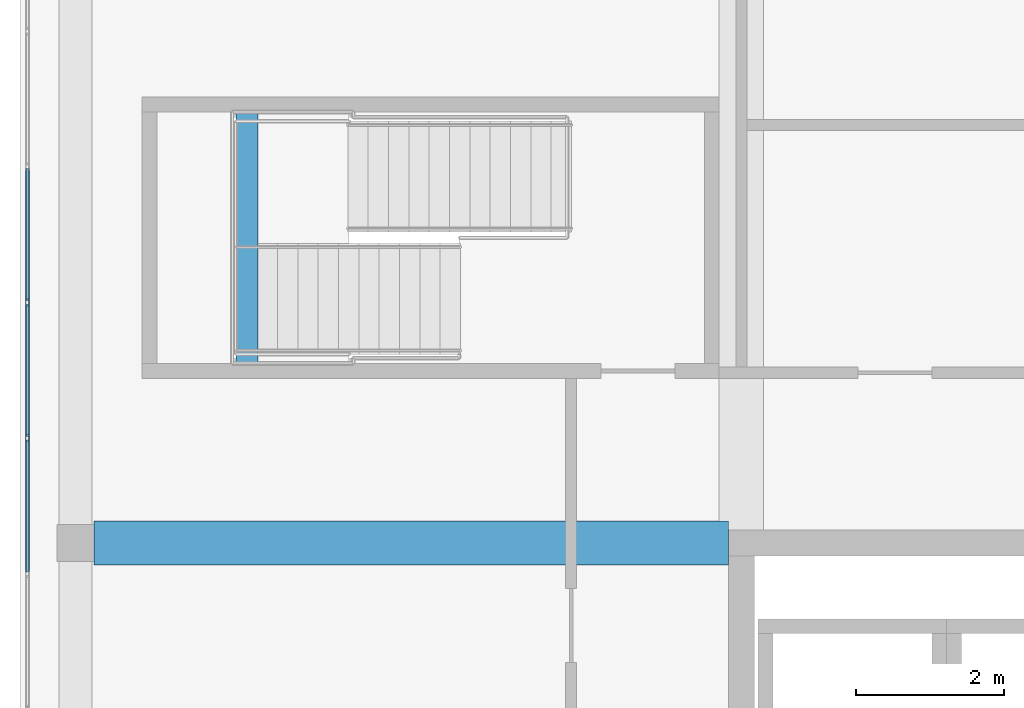
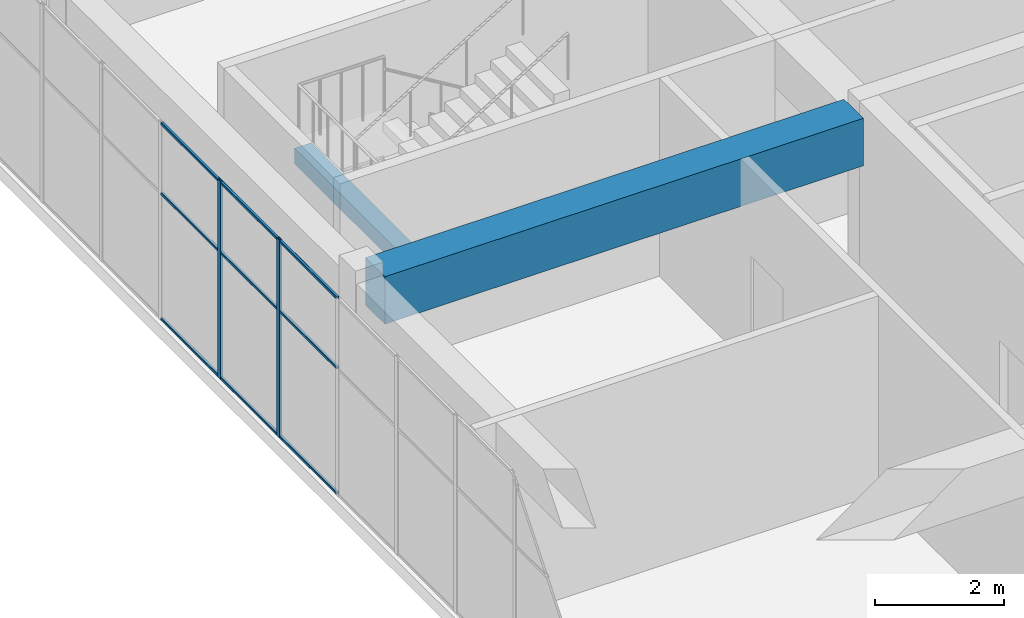
# One storey, part 13 of 34: 11 members, 2 beams, 1 element without a shape of its own.
"""IFC4 building model written with IfcOpenShell, lengths in metres."""

from ifc_helpers import new_model, si_unit, direction, frame, origin, origin_2d, place, context, subcontext, project, spatial, rectangle, hollow_rectangle, extrude, material, layer, layer_set, material_profile, profile_set, type_object, element, aggregate, save


model = new_model("IFC4")

# Units and contexts
model_context = context("Model", 3, precision=1e-05, world=origin(), true_north=direction((0.0, 1.0)))
body_context = subcontext(model_context, "Body", "Model", "MODEL_VIEW")
ifc_project = project(units=[si_unit("LENGTHUNIT", "METRE"), si_unit("AREAUNIT", "SQUARE_METRE"), si_unit("VOLUMEUNIT", "CUBIC_METRE"), si_unit("PLANEANGLEUNIT", "RADIAN"), si_unit("MASSUNIT", "GRAM", prefix="KILO")], contexts=[model_context])

# Site, building, storey
site_placement = place(None, origin())
site = spatial("IfcSite", under=ifc_project, at=site_placement, CompositionType="ELEMENT")
building_placement = place(site_placement, origin())
building = spatial("IfcBuilding", under=site, at=building_placement, Name="Tuart Plaza Theatre", CompositionType="ELEMENT")
storey_placement = place(building_placement, frame((0.0, 0.0, 57.5)))
storey = spatial("IfcBuildingStorey", under=building, at=storey_placement, Name="L14", CompositionType="ELEMENT", Elevation=57.5)

# Beams
ifc_material_1 = material(Name="Concrete N40 (40 MPa)", Category="concrete")
ifc_material_profile_1 = material_profile(ifc_material_1, rectangle(XDim=0.300048828125, YDim=0.300048828125, at=origin_2d()), Name="BEAM 300x300 Concrete N40 (40 MPa)")
ifc_profile_set_1 = profile_set([ifc_material_profile_1], Name="Concrete N40 (40 MPa)")
beam_type_1 = type_object("IfcBeamType", Name="BEAM 300x300 Concrete N40 (40 MPa)", PredefinedType="BEAM", material=ifc_profile_set_1)
beam_1_placement = place(storey_placement, frame((116.320068359375, 88.824951171875, 1.64990234375), z_axis=(0.0, -1.0, 0.0), x_axis=(1.0, 0.0, 0.0)))
element("IfcBeam", 1, at=beam_1_placement, inside=storey, type_object=beam_type_1, Name="RB542", PredefinedType="BEAM", context=body_context, shape_type="SweptSolid", body=[
    extrude(rectangle(XDim=0.300048828125, YDim=0.300048828125, at=origin_2d()), origin(), (0.0, 0.0, 1.0), 3.39990234375),
])
ifc_material_2 = material(Name="Concrete N40 (40 MPa)", Category="concrete")
ifc_material_profile_2 = material_profile(ifc_material_2, rectangle(XDim=0.60009765625, YDim=0.89990234375, at=origin_2d()), Name="BEAM 600x900 Concrete N40 (40 MPa)")
ifc_profile_set_2 = profile_set([ifc_material_profile_2], Name="Concrete N40 (40 MPa)")
beam_type_2 = type_object("IfcBeamType", Name="BEAM 600x900 Concrete N40 (40 MPa)", PredefinedType="BEAM", material=ifc_profile_set_2)
beam_2_placement = place(storey_placement, frame((114.25, 83.0, 3.300048828125), z_axis=(1.0, 0.0, 0.0), x_axis=(0.0, 1.0, 0.0)))
element("IfcBeam", 2, at=beam_2_placement, inside=storey, type_object=beam_type_2, Name="RB323", PredefinedType="BEAM", context=body_context, shape_type="SweptSolid", body=[
    extrude(rectangle(XDim=0.60009765625, YDim=0.89990234375, at=origin_2d()), origin(), (0.0, 0.0, 1.0), 8.574951171875),
])

# Curtain wall, members
ifc_material_3 = material(Name="Aluminium and glass", Category="aluminium")
ifc_layer = layer(ifc_material_3, 0.10009765625)
ifc_layer_set = layer_set([ifc_layer], Name="CURTAIN WALL 1800 module")
curtain_wall_type = type_object("IfcCurtainWallType", Name="CURTAIN WALL 1800 module", PredefinedType="NOTDEFINED", material=ifc_layer_set)
curtain_wall_placement = place(storey_placement, origin())
curtain_wall = element("IfcCurtainWall", 3, at=curtain_wall_placement, inside=storey, type_object=curtain_wall_type, Name="CW118", PredefinedType="NOTDEFINED")
ifc_material_4 = material(Name="Aluminium 6063-T5", Category="aluminium")
ifc_material_profile_3 = material_profile(ifc_material_4, hollow_rectangle(XDim=0.050048828125, YDim=0.10009765625, WallThickness=0.00390625, InnerFilletRadius=0.00390625, OuterFilletRadius=0.008056640625, at=origin_2d()), Name="RHS 100x50x4")
ifc_profile_set_3 = profile_set([ifc_material_profile_3], Name="Aluminium 6063-T5")
member_type_1 = type_object("IfcMemberType", Name="MULLION RHS 100x50x4", PredefinedType="MULLION", material=ifc_profile_set_3)
member_1_placement = place(storey_placement, frame((113.35009765625, 86.25, 0.0), z_axis=(0.0, 0.0, 1.0), x_axis=(1.0, 0.0, 0.0)))
member_1 = element("IfcMember", 4, at=member_1_placement, type_object=member_type_1, Name="CW118 mullion 7", PredefinedType="MULLION", context=body_context, shape_type="SweptSolid", body=[
    extrude(hollow_rectangle(XDim=0.050048828125, YDim=0.10009765625, WallThickness=0.00390625, InnerFilletRadius=0.00390625, OuterFilletRadius=0.008056640625, at=origin_2d()), origin(), (0.0, 0.0, 1.0), 3.75),
])
member_2_placement = place(storey_placement, frame((113.35009765625, 84.416748046875, 0.0), z_axis=(0.0, 0.0, 1.0), x_axis=(1.0, 0.0, 0.0)))
member_2 = element("IfcMember", 5, at=member_2_placement, type_object=member_type_1, Name="CW118 mullion 8", PredefinedType="MULLION", context=body_context, shape_type="SweptSolid", body=[
    extrude(hollow_rectangle(XDim=0.050048828125, YDim=0.10009765625, WallThickness=0.00390625, InnerFilletRadius=0.00390625, OuterFilletRadius=0.008056640625, at=origin_2d()), origin(), (0.0, 0.0, 1.0), 3.75),
])
ifc_material_5 = material(Name="Aluminium 6063-T5", Category="aluminium")
ifc_material_profile_4 = material_profile(ifc_material_5, hollow_rectangle(XDim=0.050048828125, YDim=0.050048828125, WallThickness=0.00390625, InnerFilletRadius=0.00390625, OuterFilletRadius=0.008056640625, at=origin_2d()), Name="RHS 50x50x4")
ifc_profile_set_4 = profile_set([ifc_material_profile_4], Name="Aluminium 6063-T5")
member_type_2 = type_object("IfcMemberType", Name="TRANSOM RHS 50x50x4", PredefinedType="USERDEFINED", material=ifc_profile_set_4)
member_3_placement = place(storey_placement, frame((113.35009765625, 88.058349609375, 0.02490234375), z_axis=(0.0, -1.0, 0.0), x_axis=(1.0, 0.0, 0.0)))
member_3 = element("IfcMember", 6, at=member_3_placement, type_object=member_type_2, Name="CW118 transom 6.1", ObjectType="TRANSOM", PredefinedType="USERDEFINED", context=body_context, shape_type="SweptSolid", body=[
    extrude(hollow_rectangle(XDim=0.050048828125, YDim=0.050048828125, WallThickness=0.00390625, InnerFilletRadius=0.00390625, OuterFilletRadius=0.008056640625, at=origin_2d()), origin(), (0.0, 0.0, 1.0), 1.783447265625),
])
member_4_placement = place(storey_placement, frame((113.35009765625, 88.058349609375, 2.39990234375), z_axis=(0.0, -1.0, 0.0), x_axis=(1.0, 0.0, 0.0)))
member_4 = element("IfcMember", 7, at=member_4_placement, type_object=member_type_2, Name="CW118 transom 6.2", ObjectType="TRANSOM", PredefinedType="USERDEFINED", context=body_context, shape_type="SweptSolid", body=[
    extrude(hollow_rectangle(XDim=0.050048828125, YDim=0.050048828125, WallThickness=0.00390625, InnerFilletRadius=0.00390625, OuterFilletRadius=0.008056640625, at=origin_2d()), origin(), (0.0, 0.0, 1.0), 1.783447265625),
])
member_5_placement = place(storey_placement, frame((113.35009765625, 88.058349609375, 3.72509765625), z_axis=(0.0, -1.0, 0.0), x_axis=(1.0, 0.0, 0.0)))
member_5 = element("IfcMember", 8, at=member_5_placement, type_object=member_type_2, Name="CW118 transom 6.3", ObjectType="TRANSOM", PredefinedType="USERDEFINED", context=body_context, shape_type="SweptSolid", body=[
    extrude(hollow_rectangle(XDim=0.050048828125, YDim=0.050048828125, WallThickness=0.00390625, InnerFilletRadius=0.00390625, OuterFilletRadius=0.008056640625, at=origin_2d()), origin(), (0.0, 0.0, 1.0), 1.783447265625),
])
member_6_placement = place(storey_placement, frame((113.35009765625, 86.22509765625, 0.02490234375), z_axis=(0.0, -1.0, 0.0), x_axis=(1.0, 0.0, 0.0)))
member_6 = element("IfcMember", 9, at=member_6_placement, type_object=member_type_2, Name="CW118 transom 7.1", ObjectType="TRANSOM", PredefinedType="USERDEFINED", context=body_context, shape_type="SweptSolid", body=[
    extrude(hollow_rectangle(XDim=0.050048828125, YDim=0.050048828125, WallThickness=0.00390625, InnerFilletRadius=0.00390625, OuterFilletRadius=0.008056640625, at=origin_2d()), origin(), (0.0, 0.0, 1.0), 1.783447265625),
])
member_7_placement = place(storey_placement, frame((113.35009765625, 86.22509765625, 2.39990234375), z_axis=(0.0, -1.0, 0.0), x_axis=(1.0, 0.0, 0.0)))
member_7 = element("IfcMember", 10, at=member_7_placement, type_object=member_type_2, Name="CW118 transom 7.2", ObjectType="TRANSOM", PredefinedType="USERDEFINED", context=body_context, shape_type="SweptSolid", body=[
    extrude(hollow_rectangle(XDim=0.050048828125, YDim=0.050048828125, WallThickness=0.00390625, InnerFilletRadius=0.00390625, OuterFilletRadius=0.008056640625, at=origin_2d()), origin(), (0.0, 0.0, 1.0), 1.783447265625),
])
member_8_placement = place(storey_placement, frame((113.35009765625, 86.22509765625, 3.72509765625), z_axis=(0.0, -1.0, 0.0), x_axis=(1.0, 0.0, 0.0)))
member_8 = element("IfcMember", 11, at=member_8_placement, type_object=member_type_2, Name="CW118 transom 7.3", ObjectType="TRANSOM", PredefinedType="USERDEFINED", context=body_context, shape_type="SweptSolid", body=[
    extrude(hollow_rectangle(XDim=0.050048828125, YDim=0.050048828125, WallThickness=0.00390625, InnerFilletRadius=0.00390625, OuterFilletRadius=0.008056640625, at=origin_2d()), origin(), (0.0, 0.0, 1.0), 1.783447265625),
])
member_9_placement = place(storey_placement, frame((113.35009765625, 84.3916015625, 0.02490234375), z_axis=(0.0, -1.0, 0.0), x_axis=(1.0, 0.0, 0.0)))
member_9 = element("IfcMember", 12, at=member_9_placement, type_object=member_type_2, Name="CW118 transom 8.1", ObjectType="TRANSOM", PredefinedType="USERDEFINED", context=body_context, shape_type="SweptSolid", body=[
    extrude(hollow_rectangle(XDim=0.050048828125, YDim=0.050048828125, WallThickness=0.00390625, InnerFilletRadius=0.00390625, OuterFilletRadius=0.008056640625, at=origin_2d()), origin(), (0.0, 0.0, 1.0), 1.783203125),
])
member_10_placement = place(storey_placement, frame((113.35009765625, 84.3916015625, 2.39990234375), z_axis=(0.0, -1.0, 0.0), x_axis=(1.0, 0.0, 0.0)))
member_10 = element("IfcMember", 13, at=member_10_placement, type_object=member_type_2, Name="CW118 transom 8.2", ObjectType="TRANSOM", PredefinedType="USERDEFINED", context=body_context, shape_type="SweptSolid", body=[
    extrude(hollow_rectangle(XDim=0.050048828125, YDim=0.050048828125, WallThickness=0.00390625, InnerFilletRadius=0.00390625, OuterFilletRadius=0.008056640625, at=origin_2d()), origin(), (0.0, 0.0, 1.0), 1.783203125),
])
member_11_placement = place(storey_placement, frame((113.35009765625, 84.3916015625, 3.72509765625), z_axis=(0.0, -1.0, 0.0), x_axis=(1.0, 0.0, 0.0)))
member_11 = element("IfcMember", 14, at=member_11_placement, type_object=member_type_2, Name="CW118 transom 8.3", ObjectType="TRANSOM", PredefinedType="USERDEFINED", context=body_context, shape_type="SweptSolid", body=[
    extrude(hollow_rectangle(XDim=0.050048828125, YDim=0.050048828125, WallThickness=0.00390625, InnerFilletRadius=0.00390625, OuterFilletRadius=0.008056640625, at=origin_2d()), origin(), (0.0, 0.0, 1.0), 1.783203125),
])
aggregate(curtain_wall, [member_1, member_2, member_3, member_4, member_5, member_6, member_7, member_8, member_9, member_10, member_11])

save(model, "model.ifc")
